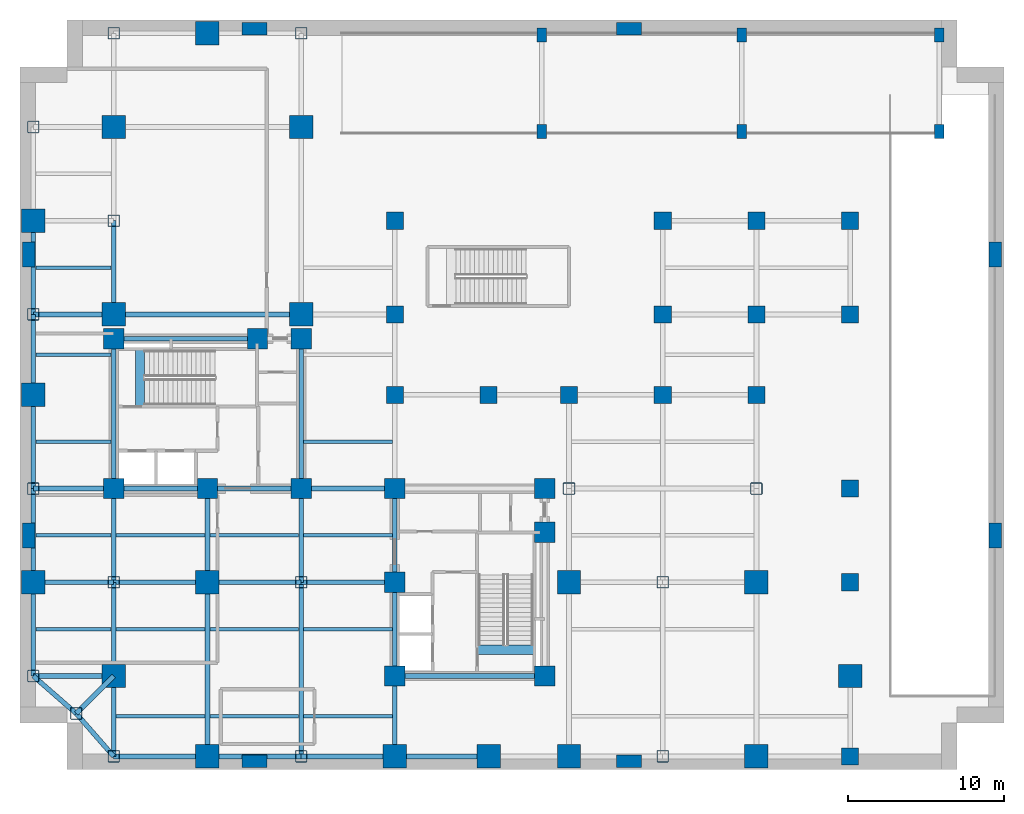
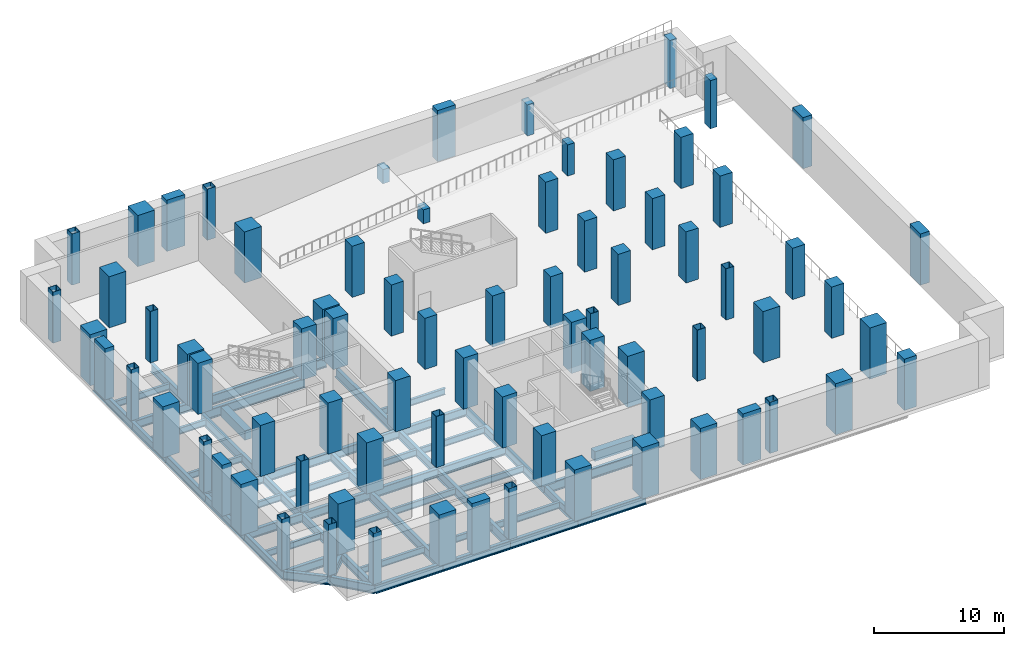
# One storey, part 1 of 6: 76 columns, 55 beams.
"""IFC4 building model written with IfcOpenShell, lengths in metres."""

from ifc_helpers import new_model, si_unit, direction, frame, origin, origin_2d, place, context, subcontext, project, spatial, rectangle, hollow_rectangle, i_section, extrude, material, material_profile, profile_set, type_object, element, save


model = new_model("IFC4")

# Units and contexts
model_context = context("Model", 3, precision=1e-05, world=origin(), true_north=direction((0.0, 1.0)))
body_context = subcontext(model_context, "Body", "Model", "MODEL_VIEW")
ifc_project = project(units=[si_unit("LENGTHUNIT", "METRE"), si_unit("AREAUNIT", "SQUARE_METRE"), si_unit("VOLUMEUNIT", "CUBIC_METRE"), si_unit("PLANEANGLEUNIT", "RADIAN"), si_unit("MASSUNIT", "GRAM", prefix="KILO"), si_unit("THERMODYNAMICTEMPERATUREUNIT", "KELVIN"), si_unit("POWERUNIT", "WATT")], contexts=[model_context])

# Site, building, storey
site_placement = place(None, origin())
site = spatial("IfcSite", under=ifc_project, at=site_placement, CompositionType="ELEMENT")
building_placement = place(site_placement, origin())
building = spatial("IfcBuilding", under=site, at=building_placement, Name="Svarakhadi Broadcast Tower", CompositionType="ELEMENT")
storey_placement = place(building_placement, frame((0.0, 0.0, -4.800048828125)))
storey = spatial("IfcBuildingStorey", under=building, at=storey_placement, Name="B01", CompositionType="ELEMENT", Elevation=-4.800048828125)

# Columns
ifc_material_1 = material(Name="Steel S460ML (IS 2062 E450BR)", Category="steel")
ifc_material_profile_1 = material_profile(ifc_material_1, hollow_rectangle(XDim=0.75, YDim=0.75, WallThickness=0.034912109375, InnerFilletRadius=0.034912109375, OuterFilletRadius=0.050048828125, at=origin_2d()), Name="BOX 750x750x35")
ifc_profile_set_1 = profile_set([ifc_material_profile_1], Name="Steel S460ML (IS 2062 E450BR)")
column_type_1 = type_object("IfcColumnType", Name="Col_BOX750", PredefinedType="COLUMN", material=ifc_profile_set_1)
for number, where, z_axis, x_axis, name in (
    (1, (3.60009765625, 3.60009765625, 0.0), (0.0, 0.0, 1.0), (1.0, 0.0, 0.0), "B01 Column G01"),
    (2, (0.85009765625, 6.0, 0.0), (0.0, 0.0, 1.0), (1.0, 0.0, 0.0), "B01 Column G03"),
    (3, (0.85009765625, 18.0, 0.0), (0.0, 0.0, 1.0), (1.0, 0.0, 0.0), "B01 Column G05"),
    (4, (0.85009765625, 29.14990234375, 0.0), (0.0, 0.0, 1.0), (1.0, 0.0, 0.0), "B01 Column G07"),
    (5, (0.85009765625, 41.14990234375, 0.0), (0.0, 0.0, 1.0), (1.0, 0.0, 0.0), "B01 Column G09"),
    (6, (6.0, 0.85009765625, 0.0), (0.0, 0.0, 1.0), (1.0, 0.0, 0.0), "B01 Column G11"),
    (7, (6.0, 12.0, 0.0), (0.0, 0.0, 1.0), (1.0, 0.0, 0.0), "B01 Column G13"),
    (8, (6.0, 35.14990234375, 0.0), (0.0, 0.0, 1.0), (1.0, 0.0, 0.0), "B01 Column G15"),
    (9, (6.0, 47.14990234375, 0.0), (0.0, 0.0, 1.0), (1.0, 0.0, 0.0), "B01 Column G17"),
    (10, (18.0, 0.85009765625, 0.0), (0.0, 0.0, 1.0), (1.0, 0.0, 0.0), "B01 Column G25"),
    (11, (18.0, 12.0, 0.0), (0.0, 0.0, 1.0), (1.0, 0.0, 0.0), "B01 Column G27"),
    (12, (18.0, 47.14990234375, 0.0), (0.0, 0.0, 1.0), (1.0, 0.0, 0.0), "B01 Column G31"),
    (13, (35.14990234375, 18.0, 0.0), (0.0, 0.0, 1.0), (1.0, 0.0, 0.0), "B01 Column G41"),
    (14, (41.14990234375, 0.85009765625, 0.0), (0.0, 0.0, 1.0), (1.0, 0.0, 0.0), "B01 Column G43"),
    (15, (41.14990234375, 12.0, 0.0), (0.0, 0.0, 1.0), (1.0, 0.0, 0.0), "B01 Column G45"),
    (16, (47.14990234375, 18.0, 0.0), (0.0, 0.0, 1.0), (1.0, 0.0, 0.0), "B01 Column G53"),
):
    element("IfcColumn", number, at=place(storey_placement, frame(where, z_axis=z_axis, x_axis=x_axis)), inside=storey, type_object=column_type_1, Name=name, PredefinedType="COLUMN", context=body_context, shape_type="SweptSolid", body=[
        extrude(hollow_rectangle(XDim=0.75, YDim=0.75, WallThickness=0.034912109375, InnerFilletRadius=0.034912109375, OuterFilletRadius=0.050048828125, at=origin_2d()), origin(), (0.0, 0.0, 1.0), 4.800048828125),
    ])
ifc_material_2 = material(Name="Concrete C45/55 (IS 456 M55 Marine)", Category="concrete")
ifc_material_profile_2 = material_profile(ifc_material_2, rectangle(XDim=0.800048828125, YDim=1.60009765625, at=origin_2d()), Name="RC 800x1600")
ifc_profile_set_2 = profile_set([ifc_material_profile_2], Name="Concrete C45/55 (IS 456 M55 Marine)")
column_type_2 = type_object("IfcColumnType", Name="Col_Pilaster", PredefinedType="COLUMN", material=ifc_profile_set_2)
for number, where, z_axis, x_axis, name in (
    (17, (0.550048828125, 15.0, 0.0), (0.0, 0.0, 1.0), (1.0, 0.0, 0.0), "B01 Diaphragm Pilaster PIL1"),
    (18, (0.550048828125, 33.0, 0.0), (0.0, 0.0, 1.0), (1.0, 0.0, 0.0), "B01 Diaphragm Pilaster PIL2"),
    (19, (62.449951171875, 15.0, 0.0), (0.0, 0.0, 1.0), (1.0, 0.0, 0.0), "B01 Diaphragm Pilaster PIL3"),
    (20, (62.449951171875, 33.0, 0.0), (0.0, 0.0, 1.0), (1.0, 0.0, 0.0), "B01 Diaphragm Pilaster PIL4"),
    (21, (15.0, 0.550048828125, 0.0), (0.0, 0.0, 1.0), (0.0, 1.0, 0.0), "B01 Diaphragm Pilaster PIL5"),
    (22, (39.0, 0.550048828125, 0.0), (0.0, 0.0, 1.0), (0.0, 1.0, 0.0), "B01 Diaphragm Pilaster PIL6"),
    (23, (15.0, 47.449951171875, 0.0), (0.0, 0.0, 1.0), (0.0, 1.0, 0.0), "B01 Diaphragm Pilaster PIL7"),
    (24, (39.0, 47.449951171875, 0.0), (0.0, 0.0, 1.0), (0.0, 1.0, 0.0), "B01 Diaphragm Pilaster PIL8"),
):
    element("IfcColumn", number, at=place(storey_placement, frame(where, z_axis=z_axis, x_axis=x_axis)), inside=storey, type_object=column_type_2, Name=name, PredefinedType="COLUMN", context=body_context, shape_type="SweptSolid", body=[
        extrude(rectangle(XDim=0.800048828125, YDim=1.60009765625, at=origin_2d()), origin(), (0.0, 0.0, 1.0), 4.800048828125),
    ])
ifc_material_3 = material(Name="Concrete C50/60 (IS 456 M60)", Category="concrete")
ifc_material_profile_3 = material_profile(ifc_material_3, rectangle(XDim=1.10009765625, YDim=1.10009765625, at=origin_2d()), Name="RC 1100x1100")
ifc_profile_set_3 = profile_set([ifc_material_profile_3], Name="Concrete C50/60 (IS 456 M60)")
column_type_3 = type_object("IfcColumnType", Name="Col_RC1100", PredefinedType="COLUMN", material=ifc_profile_set_3)
for number, where, z_axis, x_axis, name in (
    (25, (24.0, 24.0, 0.0), (0.0, 0.0, 1.0), (1.0, 0.0, 0.0), "B01 Column G33"),
    (26, (24.0, 29.14990234375, 0.0), (0.0, 0.0, 1.0), (1.0, 0.0, 0.0), "B01 Column G34"),
    (27, (24.0, 35.14990234375, 0.0), (0.0, 0.0, 1.0), (1.0, 0.0, 0.0), "B01 Column G35"),
    (28, (30.0, 24.0, 0.0), (0.0, 0.0, 1.0), (1.0, 0.0, 0.0), "B01 Column G37"),
    (29, (35.14990234375, 24.0, 0.0), (0.0, 0.0, 1.0), (1.0, 0.0, 0.0), "B01 Column G42"),
    (30, (41.14990234375, 24.0, 0.0), (0.0, 0.0, 1.0), (1.0, 0.0, 0.0), "B01 Column G47"),
    (31, (41.14990234375, 29.14990234375, 0.0), (0.0, 0.0, 1.0), (1.0, 0.0, 0.0), "B01 Column G48"),
    (32, (41.14990234375, 35.14990234375, 0.0), (0.0, 0.0, 1.0), (1.0, 0.0, 0.0), "B01 Column G49"),
    (33, (47.14990234375, 24.0, 0.0), (0.0, 0.0, 1.0), (1.0, 0.0, 0.0), "B01 Column G54"),
    (34, (47.14990234375, 29.14990234375, 0.0), (0.0, 0.0, 1.0), (1.0, 0.0, 0.0), "B01 Column G55"),
    (35, (47.14990234375, 35.14990234375, 0.0), (0.0, 0.0, 1.0), (1.0, 0.0, 0.0), "B01 Column G56"),
    (36, (53.14990234375, 0.85009765625, 0.0), (0.0, 0.0, 1.0), (1.0, 0.0, 0.0), "B01 Column G57"),
    (37, (53.14990234375, 29.14990234375, 0.0), (0.0, 0.0, 1.0), (1.0, 0.0, 0.0), "B01 Column G59"),
    (38, (53.14990234375, 35.14990234375, 0.0), (0.0, 0.0, 1.0), (1.0, 0.0, 0.0), "B01 Column G60"),
    (39, (53.14990234375, 12.0, 0.0), (0.0, 0.0, 1.0), (1.0, 0.0, 0.0), "B01 Zone-1 East Stack Column ZT02"),
    (40, (53.14990234375, 18.0, 0.0), (0.0, 0.0, 1.0), (1.0, 0.0, 0.0), "B01 Zone-1 East Stack Column ZT03"),
):
    element("IfcColumn", number, at=place(storey_placement, frame(where, z_axis=z_axis, x_axis=x_axis)), inside=storey, type_object=column_type_3, Name=name, PredefinedType="COLUMN", context=body_context, shape_type="SweptSolid", body=[
        extrude(rectangle(XDim=1.10009765625, YDim=1.10009765625, at=origin_2d()), origin(), (0.0, 0.0, 1.0), 4.800048828125),
    ])
ifc_material_4 = material(Name="Concrete C60/75 (IS 456 M70)", Category="concrete")
ifc_material_profile_4 = material_profile(ifc_material_4, rectangle(XDim=1.300048828125, YDim=1.300048828125, at=origin_2d()), Name="RC 1300x1300")
ifc_profile_set_4 = profile_set([ifc_material_profile_4], Name="Concrete C60/75 (IS 456 M70)")
column_type_4 = type_object("IfcColumnType", Name="Col_RC1300", PredefinedType="COLUMN", material=ifc_profile_set_4)
for number, where, z_axis, x_axis, name in (
    (41, (6.0, 18.0, 0.0), (0.0, 0.0, 1.0), (1.0, 0.0, 0.0), "B01 Column CW1"),
    (42, (12.0, 18.0, 0.0), (0.0, 0.0, 1.0), (1.0, 0.0, 0.0), "B01 Column CW2"),
    (43, (18.0, 18.0, 0.0), (0.0, 0.0, 1.0), (1.0, 0.0, 0.0), "B01 Column CW3"),
    (44, (6.0, 27.60009765625, 0.0), (0.0, 0.0, 1.0), (1.0, 0.0, 0.0), "B01 Column CW4"),
    (45, (15.199951171875, 27.60009765625, 0.0), (0.0, 0.0, 1.0), (1.0, 0.0, 0.0), "B01 Column CW5"),
    (46, (18.0, 27.60009765625, 0.0), (0.0, 0.0, 1.0), (1.0, 0.0, 0.0), "B01 Column CW6"),
    (47, (24.0, 6.0, 0.0), (0.0, 0.0, 1.0), (1.0, 0.0, 0.0), "B01 Column CE1"),
    (48, (24.0, 12.0, 0.0), (0.0, 0.0, 1.0), (1.0, 0.0, 0.0), "B01 Column CE2"),
    (49, (24.0, 18.0, 0.0), (0.0, 0.0, 1.0), (1.0, 0.0, 0.0), "B01 Column CE3"),
    (50, (33.60009765625, 6.0, 0.0), (0.0, 0.0, 1.0), (1.0, 0.0, 0.0), "B01 Column CE4"),
    (51, (33.60009765625, 15.199951171875, 0.0), (0.0, 0.0, 1.0), (1.0, 0.0, 0.0), "B01 Column CE5"),
    (52, (33.60009765625, 18.0, 0.0), (0.0, 0.0, 1.0), (1.0, 0.0, 0.0), "B01 Column CE6"),
):
    element("IfcColumn", number, at=place(storey_placement, frame(where, z_axis=z_axis, x_axis=x_axis)), inside=storey, type_object=column_type_4, Name=name, PredefinedType="COLUMN", context=body_context, shape_type="SweptSolid", body=[
        extrude(rectangle(XDim=1.300048828125, YDim=1.300048828125, at=origin_2d()), origin(), (0.0, 0.0, 1.0), 4.800048828125),
    ])
ifc_material_profile_5 = material_profile(ifc_material_4, rectangle(XDim=1.5, YDim=1.5, at=origin_2d()), Name="RC 1500x1500")
ifc_profile_set_5 = profile_set([ifc_material_profile_5], Name="Concrete C60/75 (IS 456 M70)")
column_type_5 = type_object("IfcColumnType", Name="Col_RC1500", PredefinedType="COLUMN", material=ifc_profile_set_5)
for number, where, z_axis, x_axis, name in (
    (53, (0.85009765625, 12.0, 0.0), (0.0, 0.0, 1.0), (1.0, 0.0, 0.0), "B01 Column G04"),
    (54, (0.85009765625, 24.0, 0.0), (0.0, 0.0, 1.0), (1.0, 0.0, 0.0), "B01 Column G06"),
    (55, (0.85009765625, 35.14990234375, 0.0), (0.0, 0.0, 1.0), (1.0, 0.0, 0.0), "B01 Column G08"),
    (56, (6.0, 6.0, 0.0), (0.0, 0.0, 1.0), (1.0, 0.0, 0.0), "B01 Column G12"),
    (57, (6.0, 29.14990234375, 0.0), (0.0, 0.0, 1.0), (1.0, 0.0, 0.0), "B01 Column G14"),
    (58, (6.0, 41.14990234375, 0.0), (0.0, 0.0, 1.0), (1.0, 0.0, 0.0), "B01 Column G16"),
    (59, (12.0, 0.85009765625, 0.0), (0.0, 0.0, 1.0), (1.0, 0.0, 0.0), "B01 Column G18"),
    (60, (12.0, 12.0, 0.0), (0.0, 0.0, 1.0), (1.0, 0.0, 0.0), "B01 Column G20"),
    (61, (12.0, 47.14990234375, 0.0), (0.0, 0.0, 1.0), (1.0, 0.0, 0.0), "B01 Column G24"),
    (62, (18.0, 29.14990234375, 0.0), (0.0, 0.0, 1.0), (1.0, 0.0, 0.0), "B01 Column G28"),
    (63, (18.0, 41.14990234375, 0.0), (0.0, 0.0, 1.0), (1.0, 0.0, 0.0), "B01 Column G30"),
    (64, (24.0, 0.85009765625, 0.0), (0.0, 0.0, 1.0), (1.0, 0.0, 0.0), "B01 Column G32"),
    (65, (30.0, 0.85009765625, 0.0), (0.0, 0.0, 1.0), (1.0, 0.0, 0.0), "B01 Column G36"),
    (66, (35.14990234375, 0.85009765625, 0.0), (0.0, 0.0, 1.0), (1.0, 0.0, 0.0), "B01 Column G38"),
    (67, (35.14990234375, 12.0, 0.0), (0.0, 0.0, 1.0), (1.0, 0.0, 0.0), "B01 Column G40"),
    (68, (47.14990234375, 0.85009765625, 0.0), (0.0, 0.0, 1.0), (1.0, 0.0, 0.0), "B01 Column G50"),
    (69, (47.14990234375, 12.0, 0.0), (0.0, 0.0, 1.0), (1.0, 0.0, 0.0), "B01 Column G52"),
    (70, (53.14990234375, 6.0, 0.0), (0.0, 0.0, 1.0), (1.0, 0.0, 0.0), "B01 Column G58"),
):
    element("IfcColumn", number, at=place(storey_placement, frame(where, z_axis=z_axis, x_axis=x_axis)), inside=storey, type_object=column_type_5, Name=name, PredefinedType="COLUMN", context=body_context, shape_type="SweptSolid", body=[
        extrude(rectangle(XDim=1.5, YDim=1.5, at=origin_2d()), origin(), (0.0, 0.0, 1.0), 4.800048828125),
    ])
ifc_material_profile_6 = material_profile(ifc_material_3, rectangle(XDim=0.60009765625, YDim=0.89990234375, at=origin_2d()), Name="RC 600x900")
ifc_profile_set_6 = profile_set([ifc_material_profile_6], Name="Concrete C50/60 (IS 456 M60)")
column_type_6 = type_object("IfcColumnType", Name="Col_RC600", PredefinedType="COLUMN", material=ifc_profile_set_6)
for number, where, z_axis, x_axis, name in (
    (71, (33.39990234375, 40.85009765625, 0.0), (0.0, 0.0, 1.0), (1.0, 0.0, 0.0), "B01 Vehicle Ramp Support Column RMPC1"),
    (72, (33.39990234375, 47.050048828125, 0.0), (0.0, 0.0, 1.0), (1.0, 0.0, 0.0), "B01 Vehicle Ramp Support Column RMPC2"),
):
    element("IfcColumn", number, at=place(storey_placement, frame(where, z_axis=z_axis, x_axis=x_axis)), inside=storey, type_object=column_type_6, Name=name, PredefinedType="COLUMN", context=body_context, shape_type="SweptSolid", body=[
        extrude(rectangle(XDim=0.60009765625, YDim=0.89990234375, at=origin_2d()), origin(), (0.0, 0.0, 1.0), 1.320068359375),
    ])
for number, where, z_axis, x_axis, name in (
    (73, (46.199951171875, 40.85009765625, 0.0), (0.0, 0.0, 1.0), (1.0, 0.0, 0.0), "B01 Vehicle Ramp Support Column RMPC3"),
    (74, (46.199951171875, 47.050048828125, 0.0), (0.0, 0.0, 1.0), (1.0, 0.0, 0.0), "B01 Vehicle Ramp Support Column RMPC4"),
):
    element("IfcColumn", number, at=place(storey_placement, frame(where, z_axis=z_axis, x_axis=x_axis)), inside=storey, type_object=column_type_6, Name=name, PredefinedType="COLUMN", context=body_context, shape_type="SweptSolid", body=[
        extrude(rectangle(XDim=0.60009765625, YDim=0.89990234375, at=origin_2d()), origin(), (0.0, 0.0, 1.0), 2.920166015625),
    ])
for number, where, z_axis, x_axis, name in (
    (75, (58.85009765625, 40.85009765625, 0.0), (0.0, 0.0, 1.0), (1.0, 0.0, 0.0), "B01 Vehicle Ramp Support Column RMPC5"),
    (76, (58.85009765625, 47.050048828125, 0.0), (0.0, 0.0, 1.0), (1.0, 0.0, 0.0), "B01 Vehicle Ramp Support Column RMPC6"),
):
    element("IfcColumn", number, at=place(storey_placement, frame(where, z_axis=z_axis, x_axis=x_axis)), inside=storey, type_object=column_type_6, Name=name, PredefinedType="COLUMN", context=body_context, shape_type="SweptSolid", body=[
        extrude(rectangle(XDim=0.60009765625, YDim=0.89990234375, at=origin_2d()), origin(), (0.0, 0.0, 1.0), 4.52001953125),
    ])

# Beams
ifc_material_5 = material(Name="Steel S355J2 (IS 2062 E350C)", Category="steel")
ifc_material_profile_7 = material_profile(ifc_material_5, i_section(OverallWidth=0.219970703125, OverallDepth=0.60009765625, WebThickness=0.011962890625, FlangeThickness=0.01904296875, FilletRadius=0.02392578125, at=origin_2d()), Name="NPB 600x220x122")
ifc_profile_set_7 = profile_set([ifc_material_profile_7], Name="Steel S355J2 (IS 2062 E350C)")
beam_type_1 = type_object("IfcBeamType", Name="Beam_NPB600", PredefinedType="BEAM", material=ifc_profile_set_7)
for number, where, z_axis, x_axis, name in (
    (77, (1.010009765625, 9.0, -0.625), (1.0, 0.0, 0.0), (0.0, 1.0, 0.0), "B01 Secondary Composite Beam SB001"),
    (78, (1.010009765625, 15.0, -0.625), (1.0, 0.0, 0.0), (0.0, 1.0, 0.0), "B01 Secondary Composite Beam SB002"),
    (79, (1.010009765625, 21.0, -0.625), (1.0, 0.0, 0.0), (0.0, 1.0, 0.0), "B01 Secondary Composite Beam SB003"),
    (80, (1.010009765625, 26.574951171875, -0.625), (1.0, 0.0, 0.0), (0.0, 1.0, 0.0), "B01 Secondary Composite Beam SB004"),
    (81, (1.010009765625, 32.14990234375, -0.625), (1.0, 0.0, 0.0), (0.0, 1.0, 0.0), "B01 Secondary Composite Beam SB005"),
):
    element("IfcBeam", number, at=place(storey_placement, frame(where, z_axis=z_axis, x_axis=x_axis)), inside=storey, type_object=beam_type_1, Name=name, PredefinedType="BEAM", context=body_context, shape_type="SweptSolid", body=[
        extrude(i_section(OverallWidth=0.219970703125, OverallDepth=0.60009765625, WebThickness=0.011962890625, FlangeThickness=0.01904296875, FilletRadius=0.02392578125, at=origin_2d()), origin(), (0.0, 0.0, 1.0), 4.830078125),
    ])
for number, where, z_axis, x_axis, name in (
    (82, (6.159912109375, 3.425048828125, -0.625), (1.0, 0.0, 0.0), (0.0, 1.0, 0.0), "B01 Secondary Composite Beam SB007"),
    (83, (6.159912109375, 9.0, -0.625), (1.0, 0.0, 0.0), (0.0, 1.0, 0.0), "B01 Secondary Composite Beam SB008"),
    (84, (6.159912109375, 15.0, -0.625), (1.0, 0.0, 0.0), (0.0, 1.0, 0.0), "B01 Secondary Composite Beam SB009"),
    (85, (12.159912109375, 3.425048828125, -0.625), (1.0, 0.0, 0.0), (0.0, 1.0, 0.0), "B01 Secondary Composite Beam SB010"),
    (86, (12.159912109375, 9.0, -0.625), (1.0, 0.0, 0.0), (0.0, 1.0, 0.0), "B01 Secondary Composite Beam SB011"),
    (87, (12.159912109375, 15.0, -0.625), (1.0, 0.0, 0.0), (0.0, 1.0, 0.0), "B01 Secondary Composite Beam SB012"),
    (88, (18.159912109375, 3.425048828125, -0.625), (1.0, 0.0, 0.0), (0.0, 1.0, 0.0), "B01 Secondary Composite Beam SB013"),
    (89, (18.159912109375, 9.0, -0.625), (1.0, 0.0, 0.0), (0.0, 1.0, 0.0), "B01 Secondary Composite Beam SB014"),
    (90, (18.159912109375, 15.0, -0.625), (1.0, 0.0, 0.0), (0.0, 1.0, 0.0), "B01 Secondary Composite Beam SB015"),
    (91, (18.159912109375, 21.0, -0.625), (1.0, 0.0, 0.0), (0.0, 1.0, 0.0), "B01 Secondary Composite Beam SB016"),
):
    element("IfcBeam", number, at=place(storey_placement, frame(where, z_axis=z_axis, x_axis=x_axis)), inside=storey, type_object=beam_type_1, Name=name, PredefinedType="BEAM", context=body_context, shape_type="SweptSolid", body=[
        extrude(i_section(OverallWidth=0.219970703125, OverallDepth=0.60009765625, WebThickness=0.011962890625, FlangeThickness=0.01904296875, FilletRadius=0.02392578125, at=origin_2d()), origin(), (0.0, 0.0, 1.0), 5.68017578125),
    ])
ifc_material_profile_8 = material_profile(ifc_material_3, rectangle(XDim=0.60009765625, YDim=0.89990234375, at=origin_2d()), Name="RC 600x900")
ifc_profile_set_8 = profile_set([ifc_material_profile_8], Name="Concrete C50/60 (IS 456 M60)")
beam_type_2 = type_object("IfcBeamType", Name="Coupling_RC600", PredefinedType="USERDEFINED", material=ifc_profile_set_8)
for number, where, z_axis, x_axis, name in (
    (92, (7.679931640625, 23.260009765625, -0.449951171875), (0.0, 1.0, 0.0), (-1.0, 0.0, 0.0), "B01 Stair ST-01 Landing Throat Trimmer Beam CB-01"),
    (93, (29.260009765625, 7.679931640625, -0.449951171875), (1.0, 0.0, 0.0), (0.0, 1.0, 0.0), "B01 Stair ST-02 Landing Throat Trimmer Beam CB-01"),
):
    element("IfcBeam", number, at=place(storey_placement, frame(where, z_axis=z_axis, x_axis=x_axis)), inside=storey, type_object=beam_type_2, Name=name, ObjectType="GIRDER", PredefinedType="USERDEFINED", context=body_context, shape_type="SweptSolid", body=[
        extrude(rectangle(XDim=0.60009765625, YDim=0.89990234375, at=origin_2d()), origin(), (0.0, 0.0, 1.0), 3.679931640625),
    ])
ifc_material_profile_9 = material_profile(ifc_material_5, i_section(OverallWidth=0.300048828125, OverallDepth=0.800048828125, WebThickness=0.017578125, FlangeThickness=0.032958984375, FilletRadius=0.030029296875, at=origin_2d()), Name="WPB 800x300x262")
ifc_profile_set_9 = profile_set([ifc_material_profile_9], Name="Steel S355J2 (IS 2062 E350C)")
beam_type_3 = type_object("IfcBeamType", Name="Girder_WPB800", PredefinedType="USERDEFINED", material=ifc_profile_set_9)
beam_1_placement = place(storey_placement, frame((3.60009765625, 3.60009765625, -0.724853515625), z_axis=(0.707106781187, 0.707106781187, 0.0), x_axis=(-0.707106781187, 0.707106781187, 0.0)))
element("IfcBeam", 94, at=beam_1_placement, inside=storey, type_object=beam_type_3, Name="B01 Corner Tie Girder G001", ObjectType="GIRDER", PredefinedType="USERDEFINED", context=body_context, shape_type="SweptSolid", body=[
    extrude(i_section(OverallWidth=0.300048828125, OverallDepth=0.800048828125, WebThickness=0.017578125, FlangeThickness=0.032958984375, FilletRadius=0.030029296875, at=origin_2d()), origin(), (0.0, 0.0, 1.0), 3.39404296875),
])
for number, where, z_axis, x_axis, name in (
    (95, (3.60009765625, 3.60009765625, -0.724853515625), (-0.753437912176, 0.657519058655, 0.0), (-0.657519058655, -0.753437912176, 0.0), "B01 Corner Tie Girder G002"),
    (96, (3.60009765625, 3.60009765625, -0.724853515625), (0.657519058655, -0.753437912176, 0.0), (0.753437912176, 0.657519058655, 0.0), "B01 Corner Tie Girder G003"),
):
    element("IfcBeam", number, at=place(storey_placement, frame(where, z_axis=z_axis, x_axis=x_axis)), inside=storey, type_object=beam_type_3, Name=name, ObjectType="GIRDER", PredefinedType="USERDEFINED", context=body_context, shape_type="SweptSolid", body=[
        extrude(i_section(OverallWidth=0.300048828125, OverallDepth=0.800048828125, WebThickness=0.017578125, FlangeThickness=0.032958984375, FilletRadius=0.030029296875, at=origin_2d()), origin(), (0.0, 0.0, 1.0), 3.64990234375),
    ])
for number, where, z_axis, x_axis, name in (
    (97, (6.0, 0.85009765625, -0.724853515625), (1.0, 0.0, 0.0), (0.0, 1.0, 0.0), "B01 Primary E-W Girder G004"),
    (98, (12.0, 0.85009765625, -0.724853515625), (1.0, 0.0, 0.0), (0.0, 1.0, 0.0), "B01 Primary E-W Girder G005"),
    (99, (18.0, 0.85009765625, -0.724853515625), (1.0, 0.0, 0.0), (0.0, 1.0, 0.0), "B01 Primary E-W Girder G006"),
    (100, (24.0, 0.85009765625, -0.724853515625), (1.0, 0.0, 0.0), (0.0, 1.0, 0.0), "B01 Primary E-W Girder G007"),
):
    element("IfcBeam", number, at=place(storey_placement, frame(where, z_axis=z_axis, x_axis=x_axis)), inside=storey, type_object=beam_type_3, Name=name, ObjectType="GIRDER", PredefinedType="USERDEFINED", context=body_context, shape_type="SweptSolid", body=[
        extrude(i_section(OverallWidth=0.300048828125, OverallDepth=0.800048828125, WebThickness=0.017578125, FlangeThickness=0.032958984375, FilletRadius=0.030029296875, at=origin_2d()), origin(), (0.0, 0.0, 1.0), 6.0),
    ])
for number, where, z_axis, x_axis, name in (
    (101, (0.85009765625, 6.0, -0.724853515625), (1.0, 0.0, 0.0), (0.0, 1.0, 0.0), "B01 Primary E-W Girder G012"),
    (102, (0.85009765625, 12.0, -0.724853515625), (1.0, 0.0, 0.0), (0.0, 1.0, 0.0), "B01 Primary E-W Girder G014"),
):
    element("IfcBeam", number, at=place(storey_placement, frame(where, z_axis=z_axis, x_axis=x_axis)), inside=storey, type_object=beam_type_3, Name=name, ObjectType="GIRDER", PredefinedType="USERDEFINED", context=body_context, shape_type="SweptSolid", body=[
        extrude(i_section(OverallWidth=0.300048828125, OverallDepth=0.800048828125, WebThickness=0.017578125, FlangeThickness=0.032958984375, FilletRadius=0.030029296875, at=origin_2d()), origin(), (0.0, 0.0, 1.0), 5.14990234375),
    ])
for number, where, z_axis, x_axis, name in (
    (103, (6.0, 12.0, -0.724853515625), (1.0, 0.0, 0.0), (0.0, 1.0, 0.0), "B01 Primary E-W Girder G015"),
    (104, (12.0, 12.0, -0.724853515625), (1.0, 0.0, 0.0), (0.0, 1.0, 0.0), "B01 Primary E-W Girder G016"),
    (105, (18.0, 12.0, -0.724853515625), (1.0, 0.0, 0.0), (0.0, 1.0, 0.0), "B01 Primary E-W Girder G017"),
):
    element("IfcBeam", number, at=place(storey_placement, frame(where, z_axis=z_axis, x_axis=x_axis)), inside=storey, type_object=beam_type_3, Name=name, ObjectType="GIRDER", PredefinedType="USERDEFINED", context=body_context, shape_type="SweptSolid", body=[
        extrude(i_section(OverallWidth=0.300048828125, OverallDepth=0.800048828125, WebThickness=0.017578125, FlangeThickness=0.032958984375, FilletRadius=0.030029296875, at=origin_2d()), origin(), (0.0, 0.0, 1.0), 6.0),
    ])
beam_2_placement = place(storey_placement, frame((0.85009765625, 18.0, -0.724853515625), z_axis=(1.0, 0.0, 0.0), x_axis=(0.0, 1.0, 0.0)))
element("IfcBeam", 106, at=beam_2_placement, inside=storey, type_object=beam_type_3, Name="B01 Primary E-W Girder G020", ObjectType="GIRDER", PredefinedType="USERDEFINED", context=body_context, shape_type="SweptSolid", body=[
    extrude(i_section(OverallWidth=0.300048828125, OverallDepth=0.800048828125, WebThickness=0.017578125, FlangeThickness=0.032958984375, FilletRadius=0.030029296875, at=origin_2d()), origin(), (0.0, 0.0, 1.0), 5.14990234375),
])
for number, where, z_axis, x_axis, name in (
    (107, (6.0, 18.0, -0.724853515625), (1.0, 0.0, 0.0), (0.0, 1.0, 0.0), "B01 Primary E-W Girder G021"),
    (108, (12.0, 18.0, -0.724853515625), (1.0, 0.0, 0.0), (0.0, 1.0, 0.0), "B01 Primary E-W Girder G022"),
    (109, (18.0, 18.0, -0.724853515625), (1.0, 0.0, 0.0), (0.0, 1.0, 0.0), "B01 Primary E-W Girder G023"),
):
    element("IfcBeam", number, at=place(storey_placement, frame(where, z_axis=z_axis, x_axis=x_axis)), inside=storey, type_object=beam_type_3, Name=name, ObjectType="GIRDER", PredefinedType="USERDEFINED", context=body_context, shape_type="SweptSolid", body=[
        extrude(i_section(OverallWidth=0.300048828125, OverallDepth=0.800048828125, WebThickness=0.017578125, FlangeThickness=0.032958984375, FilletRadius=0.030029296875, at=origin_2d()), origin(), (0.0, 0.0, 1.0), 6.0),
    ])
beam_3_placement = place(storey_placement, frame((0.85009765625, 29.14990234375, -0.724853515625), z_axis=(1.0, 0.0, 0.0), x_axis=(0.0, 1.0, 0.0)))
element("IfcBeam", 110, at=beam_3_placement, inside=storey, type_object=beam_type_3, Name="B01 Primary E-W Girder G032", ObjectType="GIRDER", PredefinedType="USERDEFINED", context=body_context, shape_type="SweptSolid", body=[
    extrude(i_section(OverallWidth=0.300048828125, OverallDepth=0.800048828125, WebThickness=0.017578125, FlangeThickness=0.032958984375, FilletRadius=0.030029296875, at=origin_2d()), origin(), (0.0, 0.0, 1.0), 5.14990234375),
])
for number, where, z_axis, x_axis, name in (
    (111, (0.85009765625, 6.0, -0.724853515625), (0.0, 1.0, 0.0), (-1.0, 0.0, 0.0), "B01 Primary N-S Girder G044"),
    (112, (0.85009765625, 12.0, -0.724853515625), (0.0, 1.0, 0.0), (-1.0, 0.0, 0.0), "B01 Primary N-S Girder G045"),
    (113, (0.85009765625, 18.0, -0.724853515625), (0.0, 1.0, 0.0), (-1.0, 0.0, 0.0), "B01 Primary N-S Girder G046"),
):
    element("IfcBeam", number, at=place(storey_placement, frame(where, z_axis=z_axis, x_axis=x_axis)), inside=storey, type_object=beam_type_3, Name=name, ObjectType="GIRDER", PredefinedType="USERDEFINED", context=body_context, shape_type="SweptSolid", body=[
        extrude(i_section(OverallWidth=0.300048828125, OverallDepth=0.800048828125, WebThickness=0.017578125, FlangeThickness=0.032958984375, FilletRadius=0.030029296875, at=origin_2d()), origin(), (0.0, 0.0, 1.0), 6.0),
    ])
beam_4_placement = place(storey_placement, frame((0.85009765625, 24.0, -0.724853515625), z_axis=(0.0, 1.0, 0.0), x_axis=(-1.0, 0.0, 0.0)))
element("IfcBeam", 114, at=beam_4_placement, inside=storey, type_object=beam_type_3, Name="B01 Primary N-S Girder G047", ObjectType="GIRDER", PredefinedType="USERDEFINED", context=body_context, shape_type="SweptSolid", body=[
    extrude(i_section(OverallWidth=0.300048828125, OverallDepth=0.800048828125, WebThickness=0.017578125, FlangeThickness=0.032958984375, FilletRadius=0.030029296875, at=origin_2d()), origin(), (0.0, 0.0, 1.0), 5.14990234375),
])
beam_5_placement = place(storey_placement, frame((0.85009765625, 29.14990234375, -0.724853515625), z_axis=(0.0, 1.0, 0.0), x_axis=(-1.0, 0.0, 0.0)))
element("IfcBeam", 115, at=beam_5_placement, inside=storey, type_object=beam_type_3, Name="B01 Primary N-S Girder G048", ObjectType="GIRDER", PredefinedType="USERDEFINED", context=body_context, shape_type="SweptSolid", body=[
    extrude(i_section(OverallWidth=0.300048828125, OverallDepth=0.800048828125, WebThickness=0.017578125, FlangeThickness=0.032958984375, FilletRadius=0.030029296875, at=origin_2d()), origin(), (0.0, 0.0, 1.0), 6.0),
])
beam_6_placement = place(storey_placement, frame((6.0, 0.85009765625, -0.724853515625), z_axis=(0.0, 1.0, 0.0), x_axis=(-1.0, 0.0, 0.0)))
element("IfcBeam", 116, at=beam_6_placement, inside=storey, type_object=beam_type_3, Name="B01 Primary N-S Girder G050", ObjectType="GIRDER", PredefinedType="USERDEFINED", context=body_context, shape_type="SweptSolid", body=[
    extrude(i_section(OverallWidth=0.300048828125, OverallDepth=0.800048828125, WebThickness=0.017578125, FlangeThickness=0.032958984375, FilletRadius=0.030029296875, at=origin_2d()), origin(), (0.0, 0.0, 1.0), 5.14990234375),
])
for number, where, z_axis, x_axis, name in (
    (117, (6.0, 6.0, -0.724853515625), (0.0, 1.0, 0.0), (-1.0, 0.0, 0.0), "B01 Primary N-S Girder G051"),
    (118, (6.0, 12.0, -0.724853515625), (0.0, 1.0, 0.0), (-1.0, 0.0, 0.0), "B01 Primary N-S Girder G052"),
    (119, (6.0, 29.14990234375, -0.724853515625), (0.0, 1.0, 0.0), (-1.0, 0.0, 0.0), "B01 Primary N-S Girder G054"),
    (120, (12.0, 12.0, -0.724853515625), (0.0, 1.0, 0.0), (-1.0, 0.0, 0.0), "B01 Primary N-S Girder G058"),
    (121, (18.0, 12.0, -0.724853515625), (0.0, 1.0, 0.0), (-1.0, 0.0, 0.0), "B01 Primary N-S Girder G060"),
):
    element("IfcBeam", number, at=place(storey_placement, frame(where, z_axis=z_axis, x_axis=x_axis)), inside=storey, type_object=beam_type_3, Name=name, ObjectType="GIRDER", PredefinedType="USERDEFINED", context=body_context, shape_type="SweptSolid", body=[
        extrude(i_section(OverallWidth=0.300048828125, OverallDepth=0.800048828125, WebThickness=0.017578125, FlangeThickness=0.032958984375, FilletRadius=0.030029296875, at=origin_2d()), origin(), (0.0, 0.0, 1.0), 6.0),
    ])
beam_7_placement = place(storey_placement, frame((24.0, 0.85009765625, -0.724853515625), z_axis=(0.0, 1.0, 0.0), x_axis=(-1.0, 0.0, 0.0)))
element("IfcBeam", 122, at=beam_7_placement, inside=storey, type_object=beam_type_3, Name="B01 Primary N-S Girder G064", ObjectType="GIRDER", PredefinedType="USERDEFINED", context=body_context, shape_type="SweptSolid", body=[
    extrude(i_section(OverallWidth=0.300048828125, OverallDepth=0.800048828125, WebThickness=0.017578125, FlangeThickness=0.032958984375, FilletRadius=0.030029296875, at=origin_2d()), origin(), (0.0, 0.0, 1.0), 5.14990234375),
])
for number, where, z_axis, x_axis, name in (
    (123, (24.0, 6.0, -0.724853515625), (0.0, 1.0, 0.0), (-1.0, 0.0, 0.0), "B01 Primary N-S Girder G065"),
    (124, (24.0, 12.0, -0.724853515625), (0.0, 1.0, 0.0), (-1.0, 0.0, 0.0), "B01 Primary N-S Girder G066"),
):
    element("IfcBeam", number, at=place(storey_placement, frame(where, z_axis=z_axis, x_axis=x_axis)), inside=storey, type_object=beam_type_3, Name=name, ObjectType="GIRDER", PredefinedType="USERDEFINED", context=body_context, shape_type="SweptSolid", body=[
        extrude(i_section(OverallWidth=0.300048828125, OverallDepth=0.800048828125, WebThickness=0.017578125, FlangeThickness=0.032958984375, FilletRadius=0.030029296875, at=origin_2d()), origin(), (0.0, 0.0, 1.0), 6.0),
    ])
ifc_material_profile_10 = material_profile(ifc_material_1, i_section(OverallWidth=0.300048828125, OverallDepth=0.89990234375, WebThickness=0.0185546875, FlangeThickness=0.034912109375, FilletRadius=0.030029296875, at=origin_2d()), Name="WPB 900x300x291")
ifc_profile_set_10 = profile_set([ifc_material_profile_10], Name="Steel S460ML (IS 2062 E450BR)")
beam_type_4 = type_object("IfcBeamType", Name="Girder_WPB900", PredefinedType="USERDEFINED", material=ifc_profile_set_10)
beam_8_placement = place(storey_placement, frame((24.0, 6.0, -0.77490234375), z_axis=(1.0, 0.0, 0.0), x_axis=(0.0, 1.0, 0.0)))
element("IfcBeam", 125, at=beam_8_placement, inside=storey, type_object=beam_type_4, Name="B01 Primary E-W Girder G013", ObjectType="GIRDER", PredefinedType="USERDEFINED", context=body_context, shape_type="SweptSolid", body=[
    extrude(i_section(OverallWidth=0.300048828125, OverallDepth=0.89990234375, WebThickness=0.0185546875, FlangeThickness=0.034912109375, FilletRadius=0.030029296875, at=origin_2d()), origin(), (0.0, 0.0, 1.0), 9.60009765625),
])
beam_9_placement = place(storey_placement, frame((6.0, 27.60009765625, -0.77490234375), z_axis=(1.0, 0.0, 0.0), x_axis=(0.0, 1.0, 0.0)))
element("IfcBeam", 126, at=beam_9_placement, inside=storey, type_object=beam_type_4, Name="B01 Primary E-W Girder G030", ObjectType="GIRDER", PredefinedType="USERDEFINED", context=body_context, shape_type="SweptSolid", body=[
    extrude(i_section(OverallWidth=0.300048828125, OverallDepth=0.89990234375, WebThickness=0.0185546875, FlangeThickness=0.034912109375, FilletRadius=0.030029296875, at=origin_2d()), origin(), (0.0, 0.0, 1.0), 9.199951171875),
])
beam_10_placement = place(storey_placement, frame((6.0, 29.14990234375, -0.77490234375), z_axis=(1.0, 0.0, 0.0), x_axis=(0.0, 1.0, 0.0)))
element("IfcBeam", 127, at=beam_10_placement, inside=storey, type_object=beam_type_4, Name="B01 Primary E-W Girder G033", ObjectType="GIRDER", PredefinedType="USERDEFINED", context=body_context, shape_type="SweptSolid", body=[
    extrude(i_section(OverallWidth=0.300048828125, OverallDepth=0.89990234375, WebThickness=0.0185546875, FlangeThickness=0.034912109375, FilletRadius=0.030029296875, at=origin_2d()), origin(), (0.0, 0.0, 1.0), 12.0),
])
beam_11_placement = place(storey_placement, frame((6.0, 18.0, -0.77490234375), z_axis=(0.0, 1.0, 0.0), x_axis=(-1.0, 0.0, 0.0)))
element("IfcBeam", 128, at=beam_11_placement, inside=storey, type_object=beam_type_4, Name="B01 Primary N-S Girder G053", ObjectType="GIRDER", PredefinedType="USERDEFINED", context=body_context, shape_type="SweptSolid", body=[
    extrude(i_section(OverallWidth=0.300048828125, OverallDepth=0.89990234375, WebThickness=0.0185546875, FlangeThickness=0.034912109375, FilletRadius=0.030029296875, at=origin_2d()), origin(), (0.0, 0.0, 1.0), 9.60009765625),
])
for number, where, z_axis, x_axis, name in (
    (129, (12.0, 0.85009765625, -0.77490234375), (0.0, 1.0, 0.0), (-1.0, 0.0, 0.0), "B01 Primary N-S Girder G057"),
    (130, (18.0, 0.85009765625, -0.77490234375), (0.0, 1.0, 0.0), (-1.0, 0.0, 0.0), "B01 Primary N-S Girder G059"),
):
    element("IfcBeam", number, at=place(storey_placement, frame(where, z_axis=z_axis, x_axis=x_axis)), inside=storey, type_object=beam_type_4, Name=name, ObjectType="GIRDER", PredefinedType="USERDEFINED", context=body_context, shape_type="SweptSolid", body=[
        extrude(i_section(OverallWidth=0.300048828125, OverallDepth=0.89990234375, WebThickness=0.0185546875, FlangeThickness=0.034912109375, FilletRadius=0.030029296875, at=origin_2d()), origin(), (0.0, 0.0, 1.0), 11.14990234375),
    ])
beam_12_placement = place(storey_placement, frame((18.0, 18.0, -0.77490234375), z_axis=(0.0, 1.0, 0.0), x_axis=(-1.0, 0.0, 0.0)))
element("IfcBeam", 131, at=beam_12_placement, inside=storey, type_object=beam_type_4, Name="B01 Primary N-S Girder G061", ObjectType="GIRDER", PredefinedType="USERDEFINED", context=body_context, shape_type="SweptSolid", body=[
    extrude(i_section(OverallWidth=0.300048828125, OverallDepth=0.89990234375, WebThickness=0.0185546875, FlangeThickness=0.034912109375, FilletRadius=0.030029296875, at=origin_2d()), origin(), (0.0, 0.0, 1.0), 9.60009765625),
])

save(model, "model.ifc")
